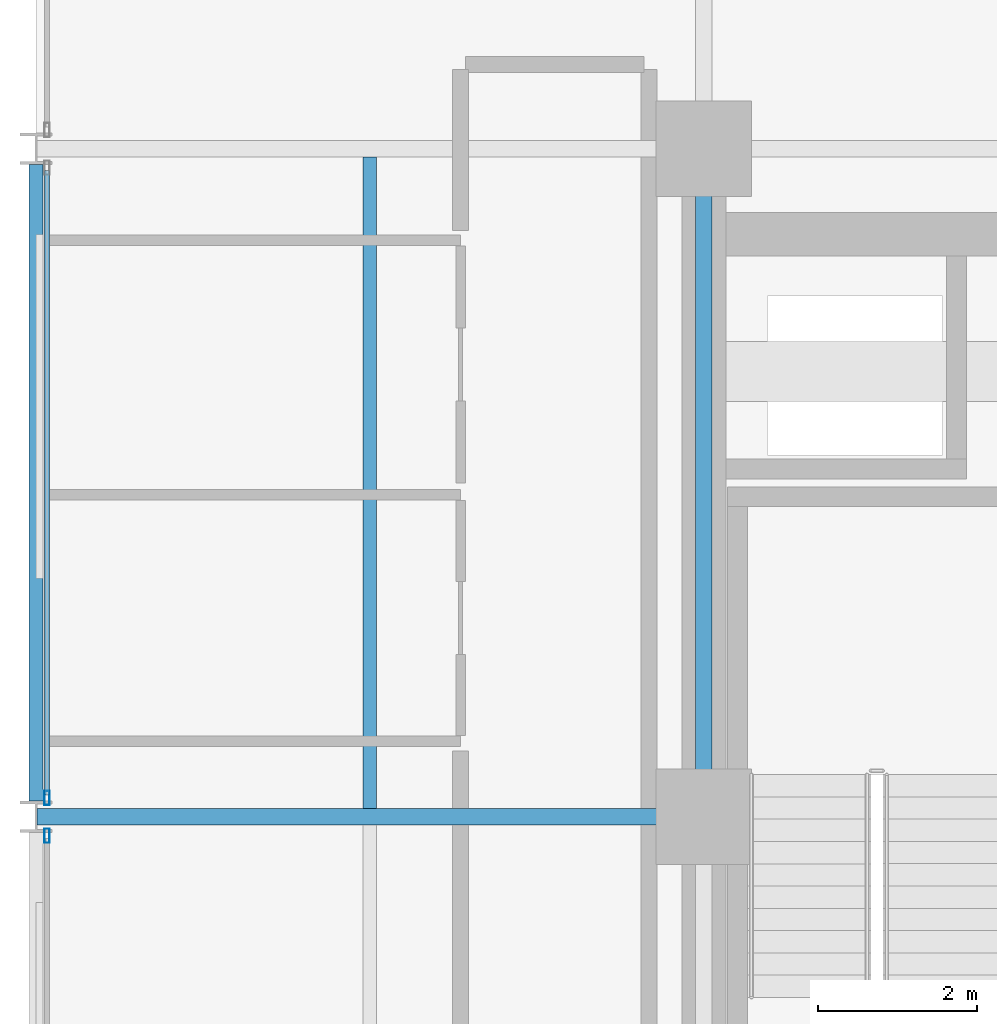
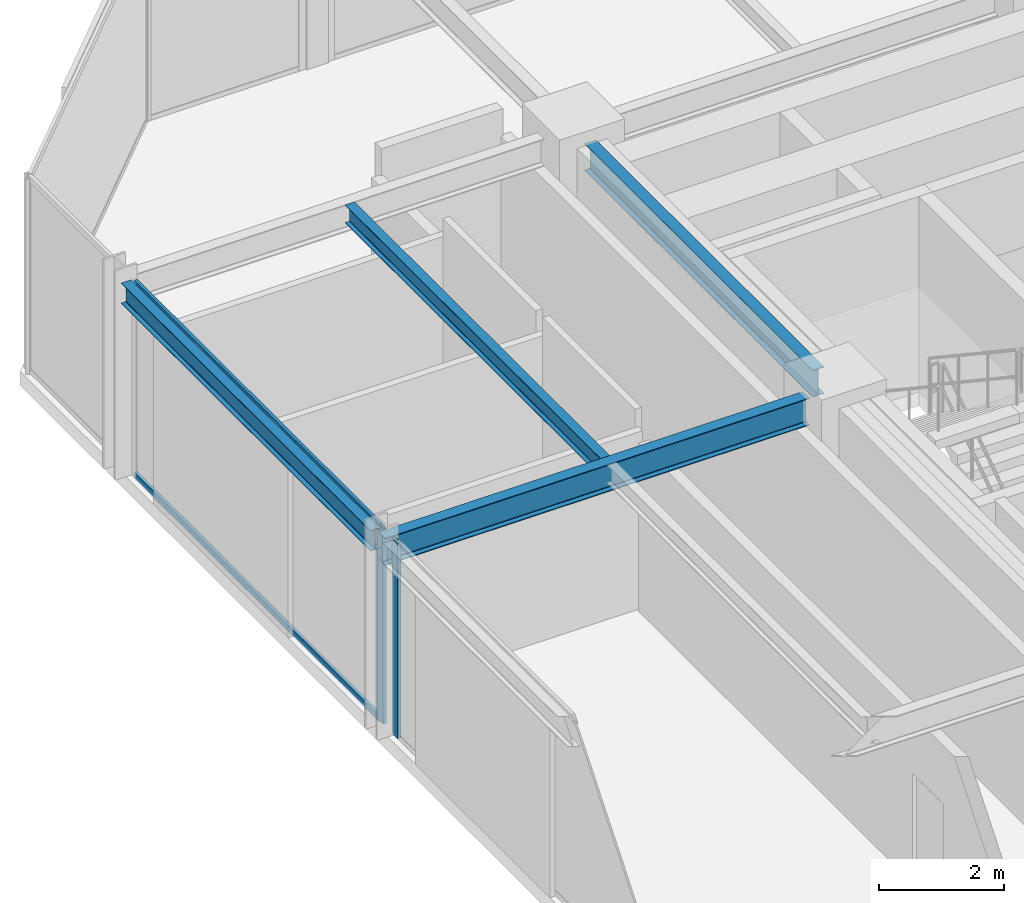
# One storey, part 23 of 38: 4 beams, 4 members, 2 elements without a shape of their own.
"""IFC4 building model written with IfcOpenShell, lengths in metres."""

from ifc_helpers import new_model, si_unit, direction, frame, origin, origin_2d, place, context, subcontext, project, spatial, hollow_rectangle, i_section, extrude, material, layer, layer_set, material_profile, profile_set, type_object, element, aggregate, save


model = new_model("IFC4")

# Units and contexts
model_context = context("Model", 3, precision=1e-05, world=origin(), true_north=direction((0.0, 1.0)))
body_context = subcontext(model_context, "Body", "Model", "MODEL_VIEW")
ifc_project = project(units=[si_unit("LENGTHUNIT", "METRE"), si_unit("AREAUNIT", "SQUARE_METRE"), si_unit("VOLUMEUNIT", "CUBIC_METRE"), si_unit("PLANEANGLEUNIT", "RADIAN"), si_unit("MASSUNIT", "GRAM", prefix="KILO")], contexts=[model_context])

# Site, building, storey
site_placement = place(None, origin())
site = spatial("IfcSite", under=ifc_project, at=site_placement, CompositionType="ELEMENT")
building_placement = place(site_placement, origin())
building = spatial("IfcBuilding", under=site, at=building_placement, Name="Nerrivon Quay Data Exchange", CompositionType="ELEMENT")
storey_placement = place(building_placement, frame((0.0, 0.0, 96.699951171875)))
storey = spatial("IfcBuildingStorey", under=building, at=storey_placement, Name="L22", CompositionType="ELEMENT", Elevation=96.699951171875)

# Beams
ifc_material_1 = material(Name="Steel Grade 350", Category="steel")
ifc_material_profile_1 = material_profile(ifc_material_1, i_section(OverallWidth=0.208984375, OverallDepth=0.532958984375, WebThickness=0.01025390625, FlangeThickness=0.015625, FilletRadius=0.013916015625, at=origin_2d()), Name="530UB92.4")
ifc_profile_set_1 = profile_set([ifc_material_profile_1], Name="Steel Grade 350")
beam_type_1 = type_object("IfcBeamType", Name="BM-G3-530UB92", PredefinedType="BEAM", material=ifc_profile_set_1)
beam_1_placement = place(storey_placement, frame((0.012451171875, 33.60009765625, 3.55859375), z_axis=(1.0, 0.0, 0.0), x_axis=(0.0, 1.0, 0.0)))
element("IfcBeam", 1, at=beam_1_placement, inside=storey, type_object=beam_type_1, Name="L22 EW Girder Y=33.6 (0.0..8.4)", PredefinedType="BEAM", context=body_context, shape_type="SweptSolid", body=[
    extrude(i_section(OverallWidth=0.208984375, OverallDepth=0.532958984375, WebThickness=0.01025390625, FlangeThickness=0.015625, FilletRadius=0.013916015625, at=origin_2d()), origin(), (0.0, 0.0, 1.0), 7.84765625),
])
ifc_material_profile_2 = material_profile(ifc_material_1, i_section(OverallWidth=0.208984375, OverallDepth=0.528076171875, WebThickness=0.009521484375, FlangeThickness=0.01318359375, FilletRadius=0.013916015625, at=origin_2d()), Name="530UB82.0")
ifc_profile_set_2 = profile_set([ifc_material_profile_2], Name="Steel Grade 350")
beam_type_2 = type_object("IfcBeamType", Name="BM-G4-530UB82", PredefinedType="BEAM", material=ifc_profile_set_2)
beam_2_placement = place(storey_placement, frame((8.39990234375, 34.139892578125, 3.56103515625), z_axis=(0.0, 1.0, 0.0), x_axis=(-1.0, 0.0, 0.0)))
element("IfcBeam", 2, at=beam_2_placement, inside=storey, type_object=beam_type_2, Name="L22 NS Girder X=8.4 (33.6..42.0)", PredefinedType="BEAM", context=body_context, shape_type="SweptSolid", body=[
    extrude(i_section(OverallWidth=0.208984375, OverallDepth=0.528076171875, WebThickness=0.009521484375, FlangeThickness=0.01318359375, FilletRadius=0.013916015625, at=origin_2d()), origin(), (0.0, 0.0, 1.0), 7.320068359375),
])
ifc_material_profile_3 = material_profile(ifc_material_1, i_section(OverallWidth=0.1708984375, OverallDepth=0.35595703125, WebThickness=0.00732421875, FlangeThickness=0.011474609375, FilletRadius=0.011474609375, at=origin_2d()), Name="360UB50.7")
ifc_profile_set_3 = profile_set([ifc_material_profile_3], Name="Steel Grade 350")
beam_type_3 = type_object("IfcBeamType", Name="BM-J4-360UB51", PredefinedType="JOIST", material=ifc_profile_set_3)
beam_3_placement = place(storey_placement, frame((4.199951171875, 33.70458984375, 3.64697265625), z_axis=(0.0, 1.0, 0.0), x_axis=(-1.0, 0.0, 0.0)))
element("IfcBeam", 3, at=beam_3_placement, inside=storey, type_object=beam_type_3, Name="L22 Secondary Joist X=4.2 (33.6..42.0)", PredefinedType="JOIST", context=body_context, shape_type="SweptSolid", body=[
    extrude(i_section(OverallWidth=0.1708984375, OverallDepth=0.35595703125, WebThickness=0.00732421875, FlangeThickness=0.011474609375, FilletRadius=0.011474609375, at=origin_2d()), origin(), (0.0, 0.0, 1.0), 8.19091796875),
])
ifc_material_profile_4 = material_profile(ifc_material_1, i_section(OverallWidth=0.177978515625, OverallDepth=0.403076171875, WebThickness=0.007568359375, FlangeThickness=0.010986328125, FilletRadius=0.011474609375, at=origin_2d()), Name="410UB53.7")
ifc_profile_set_4 = profile_set([ifc_material_profile_4], Name="Steel Grade 350")
beam_type_4 = type_object("IfcBeamType", Name="BM-SP2-410UB54", PredefinedType="SPANDREL", material=ifc_profile_set_4)
beam_4_placement = place(storey_placement, frame((0.0, 33.800048828125, 3.62353515625), z_axis=(0.0, 1.0, 0.0), x_axis=(-1.0, 0.0, 0.0)))
element("IfcBeam", 4, at=beam_4_placement, inside=storey, type_object=beam_type_4, Name="L22 NS Girder X=0.0 (33.6..42.0)", PredefinedType="SPANDREL", context=body_context, shape_type="SweptSolid", body=[
    extrude(i_section(OverallWidth=0.177978515625, OverallDepth=0.403076171875, WebThickness=0.007568359375, FlangeThickness=0.010986328125, FilletRadius=0.011474609375, at=origin_2d()), origin(), (0.0, 0.0, 1.0), 8.0),
])

# Curtain wall, member
ifc_material_2 = material(Name="Anodised aluminium 6063-T6", Category="aluminium")
ifc_layer = layer(ifc_material_2, 0.2099609375)
ifc_layer_set = layer_set([ifc_layer], Name="Anodised aluminium 6063-T6")
curtain_wall_type = type_object("IfcCurtainWallType", Name="CW-SYS-02", PredefinedType="NOTDEFINED", material=ifc_layer_set)
curtain_wall_1_placement = place(storey_placement, origin())
curtain_wall_1 = element("IfcCurtainWall", 5, at=curtain_wall_1_placement, inside=storey, type_object=curtain_wall_type, Name="L22 Unitised Curtain Wall 20", PredefinedType="NOTDEFINED")
ifc_material_profile_5 = material_profile(ifc_material_2, hollow_rectangle(XDim=0.06494140625, YDim=0.179931640625, WallThickness=0.00341796875, at=origin_2d()), Name="ALU-MULL-180x65")
ifc_profile_set_5 = profile_set([ifc_material_profile_5], Name="Anodised aluminium 6063-T6")
member_type_1 = type_object("IfcMemberType", Name="CWM-180x65", PredefinedType="MULLION", material=ifc_profile_set_5)
member_1_placement = place(storey_placement, frame((0.139892578125, 33.362548828125, 0.0), z_axis=(0.0, 0.0, 1.0), x_axis=(-1.0, 0.0, 0.0)))
member_1 = element("IfcMember", 6, at=member_1_placement, type_object=member_type_1, Name="CW02 mullion 2", PredefinedType="MULLION", context=body_context, shape_type="SweptSolid", body=[
    extrude(hollow_rectangle(XDim=0.06494140625, YDim=0.179931640625, WallThickness=0.00341796875, at=origin_2d()), origin(), (0.0, 0.0, 1.0), 3.824951171875),
])
aggregate(curtain_wall_1, [member_1])

# Curtain wall, members
curtain_wall_2_placement = place(storey_placement, origin())
curtain_wall_2 = element("IfcCurtainWall", 7, at=curtain_wall_2_placement, inside=storey, type_object=curtain_wall_type, Name="L22 Unitised Curtain Wall 21", PredefinedType="NOTDEFINED")
member_2_placement = place(storey_placement, frame((0.139892578125, 33.83740234375, 0.0), z_axis=(0.0, 0.0, 1.0), x_axis=(-1.0, 0.0, 0.0)))
member_2 = element("IfcMember", 8, at=member_2_placement, type_object=member_type_1, Name="CW02 mullion 1", PredefinedType="MULLION", context=body_context, shape_type="SweptSolid", body=[
    extrude(hollow_rectangle(XDim=0.06494140625, YDim=0.179931640625, WallThickness=0.00341796875, at=origin_2d()), origin(), (0.0, 0.0, 1.0), 3.824951171875),
])
ifc_material_profile_6 = material_profile(ifc_material_2, hollow_rectangle(XDim=0.06005859375, YDim=0.1201171875, WallThickness=0.003173828125, at=origin_2d()), Name="ALU-TRAN-120x60")
ifc_profile_set_6 = profile_set([ifc_material_profile_6], Name="Anodised aluminium 6063-T6")
member_type_2 = type_object("IfcMemberType", Name="CWT-120x60", PredefinedType="USERDEFINED", material=ifc_profile_set_6)
member_3_placement = place(storey_placement, frame((0.139892578125, 33.875, 0.032470703125), z_axis=(0.0, 1.0, 0.0), x_axis=(-1.0, 0.0, 0.0)))
member_3 = element("IfcMember", 9, at=member_3_placement, type_object=member_type_2, Name="CW02 transom 1.1", ObjectType="TRANSOM", PredefinedType="USERDEFINED", context=body_context, shape_type="SweptSolid", body=[
    extrude(hollow_rectangle(XDim=0.06005859375, YDim=0.1201171875, WallThickness=0.003173828125, at=origin_2d()), origin(), (0.0, 0.0, 1.0), 7.85009765625),
])
member_4_placement = place(storey_placement, frame((0.139892578125, 33.875, 3.79248046875), z_axis=(0.0, 1.0, 0.0), x_axis=(-1.0, 0.0, 0.0)))
member_4 = element("IfcMember", 10, at=member_4_placement, type_object=member_type_2, Name="CW02 transom 1.2", ObjectType="TRANSOM", PredefinedType="USERDEFINED", context=body_context, shape_type="SweptSolid", body=[
    extrude(hollow_rectangle(XDim=0.06005859375, YDim=0.1201171875, WallThickness=0.003173828125, at=origin_2d()), origin(), (0.0, 0.0, 1.0), 7.85009765625),
])
aggregate(curtain_wall_2, [member_2, member_3, member_4])

save(model, "model.ifc")
